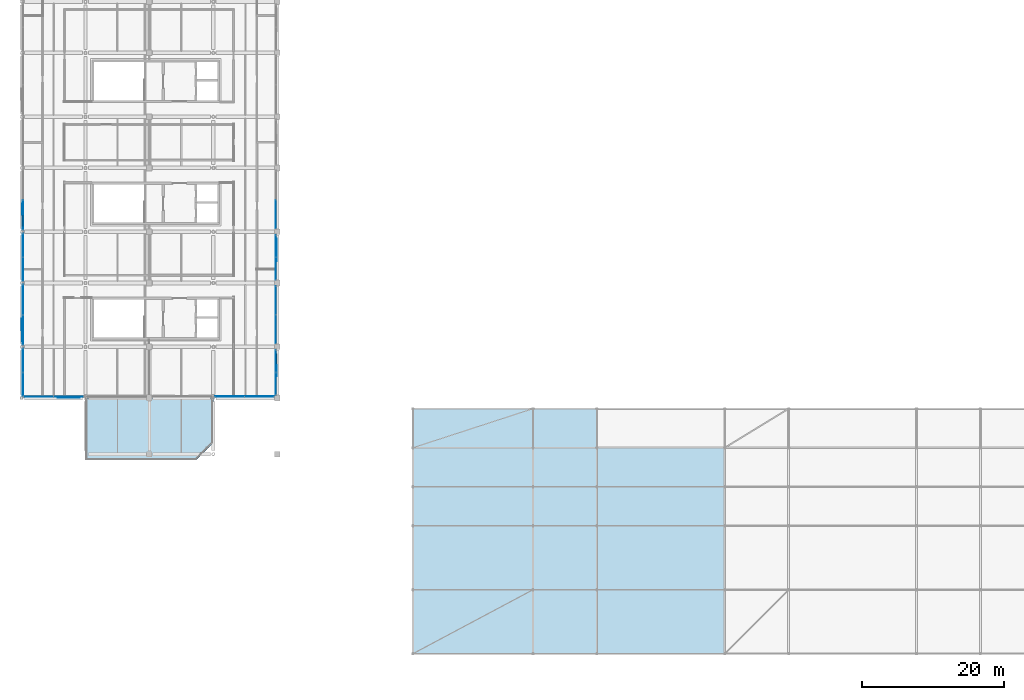
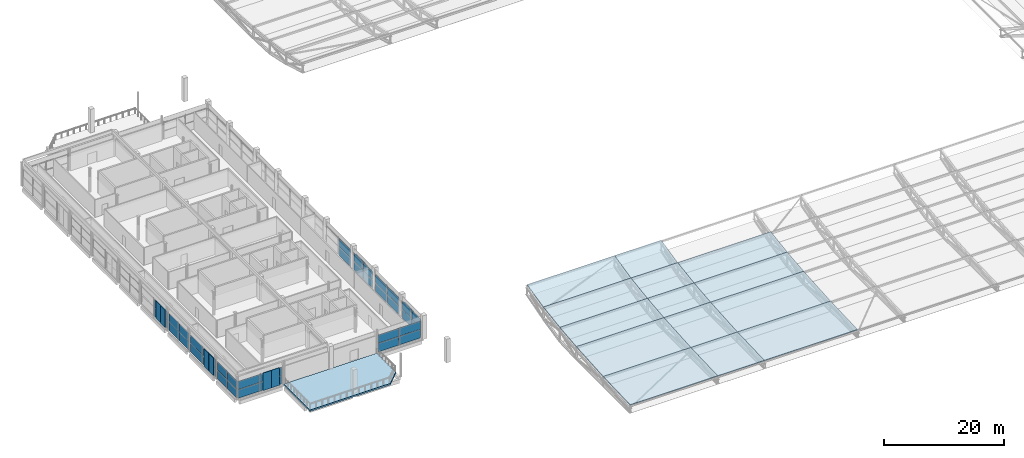
# One storey, part 86 of 114: 46 plates, 15 slabs, 10 elements without a shape of their own.
"""IFC4 building model written with IfcOpenShell, lengths in metres."""

from ifc_helpers import new_model, si_unit, direction, frame, origin, origin_2d, place, context, subcontext, project, spatial, polyline, rectangle, outline, extrude, material, layer, layer_set, type_object, element, aggregate, save


model = new_model("IFC4")

# Units and contexts
model_context = context("Model", 3, precision=1e-05, world=origin(), true_north=direction((0.0, 1.0)))
body_context = subcontext(model_context, "Body", "Model", "MODEL_VIEW")
ifc_project = project(units=[si_unit("LENGTHUNIT", "METRE"), si_unit("AREAUNIT", "SQUARE_METRE"), si_unit("VOLUMEUNIT", "CUBIC_METRE"), si_unit("PLANEANGLEUNIT", "RADIAN"), si_unit("MASSUNIT", "GRAM", prefix="KILO"), si_unit("THERMODYNAMICTEMPERATUREUNIT", "KELVIN"), si_unit("POWERUNIT", "WATT")], contexts=[model_context])

# Site, building, storey
site_placement = place(None, origin())
site = spatial("IfcSite", under=ifc_project, at=site_placement, CompositionType="ELEMENT")
building_placement = place(site_placement, origin())
building = spatial("IfcBuilding", under=site, at=building_placement, Name="Sindhuravela Promenade Stadium", CompositionType="ELEMENT")
storey_placement = place(building_placement, frame((0.0, 0.0, 24.0)))
storey = spatial("IfcBuildingStorey", under=building, at=storey_placement, Name="L05", CompositionType="ELEMENT", Elevation=24.0)

# Plates
ifc_material_1 = material(Name="Perforated terracotta celosia brick (15 MPa)", Category="masonry")
ifc_layer_1 = layer(ifc_material_1, 0.090087890625)
ifc_layer_set_1 = layer_set([ifc_layer_1], Name="Perforated terracotta celosia brick (15 MPa)")
plate_type_1 = type_object("IfcPlateType", Name="CL-SCR-01", PredefinedType="USERDEFINED", material=ifc_layer_set_1)
for number, where, z_axis, x_axis, name in (
    (1, (0.1201171875, 71.55810546875, 0.0), (0.0, 0.0, 1.0), (0.0, 1.0, 0.0), "Perforated brick celosia screen WEST L05-68"),
    (2, (35.8798828125, 48.844970703125, 0.0), (0.0, 0.0, 1.0), (0.0, -1.0, 0.0), "Perforated brick celosia screen WEST L05-84"),
):
    element("IfcPlate", number, at=place(storey_placement, frame(where, z_axis=z_axis, x_axis=x_axis)), inside=storey, type_object=plate_type_1, Name=name, ObjectType="SCREEN PANEL", PredefinedType="USERDEFINED", context=body_context, shape_type="SweptSolid", body=[
        extrude(rectangle(XDim=1.56005859375, YDim=0.090087890625, at=origin_2d()), origin(), (0.0, 0.0, 1.0), 3.580078125),
    ])
ifc_layer_2 = layer(ifc_material_1, 0.114990234375)
ifc_layer_set_2 = layer_set([ifc_layer_2], Name="Perforated terracotta celosia brick (15 MPa)")
plate_type_2 = type_object("IfcPlateType", Name="CL-SCR-02", PredefinedType="USERDEFINED", material=ifc_layer_set_2)
for number, where, z_axis, x_axis, name in (
    (3, (0.1201171875, 53.75830078125, 0.0), (0.0, 0.0, 1.0), (0.0, 1.0, 0.0), "Perforated brick celosia screen WEST L05-65"),
    (4, (35.8798828125, 66.64501953125, 0.0), (0.0, 0.0, 1.0), (0.0, -1.0, 0.0), "Perforated brick celosia screen WEST L05-81"),
    (5, (7.44189453125, 45.1201171875, 0.0), (0.0, 0.0, 1.0), (-1.0, 0.0, 0.0), "Perforated brick celosia screen WEST L05-85"),
):
    element("IfcPlate", number, at=place(storey_placement, frame(where, z_axis=z_axis, x_axis=x_axis)), inside=storey, type_object=plate_type_2, Name=name, ObjectType="SCREEN PANEL", PredefinedType="USERDEFINED", context=body_context, shape_type="SweptSolid", body=[
        extrude(rectangle(XDim=1.56005859375, YDim=0.114990234375, at=origin_2d()), origin(), (0.0, 0.0, 1.0), 3.580078125),
    ])
ifc_layer_3 = layer(ifc_material_1, 0.139892578125)
ifc_layer_set_3 = layer_set([ifc_layer_3], Name="Perforated terracotta celosia brick (15 MPa)")
plate_type_3 = type_object("IfcPlateType", Name="CL-SCR-03", PredefinedType="USERDEFINED", material=ifc_layer_set_3)
for number, where, z_axis, x_axis, name in (
    (6, (0.1201171875, 55.358154296875, 0.0), (0.0, 0.0, 1.0), (0.0, 1.0, 0.0), "Perforated brick celosia screen WEST L05-66"),
    (7, (35.8798828125, 65.044921875, 0.0), (0.0, 0.0, 1.0), (0.0, -1.0, 0.0), "Perforated brick celosia screen WEST L05-82"),
    (8, (5.841796875, 45.1201171875, 0.0), (0.0, 0.0, 1.0), (-1.0, 0.0, 0.0), "Perforated brick celosia screen WEST L05-86"),
):
    element("IfcPlate", number, at=place(storey_placement, frame(where, z_axis=z_axis, x_axis=x_axis)), inside=storey, type_object=plate_type_3, Name=name, ObjectType="SCREEN PANEL", PredefinedType="USERDEFINED", context=body_context, shape_type="SweptSolid", body=[
        extrude(rectangle(XDim=1.56005859375, YDim=0.139892578125, at=origin_2d()), origin(), (0.0, 0.0, 1.0), 3.580078125),
    ])
ifc_layer_4 = layer(ifc_material_1, 0.1650390625)
ifc_layer_set_4 = layer_set([ifc_layer_4], Name="Perforated terracotta celosia brick (15 MPa)")
plate_type_4 = type_object("IfcPlateType", Name="CL-SCR-04", PredefinedType="USERDEFINED", material=ifc_layer_set_4)
for number, where, z_axis, x_axis, name in (
    (9, (0.1201171875, 69.958251953125, 0.0), (0.0, 0.0, 1.0), (0.0, 1.0, 0.0), "Perforated brick celosia screen WEST L05-67"),
    (10, (35.8798828125, 50.445068359375, 0.0), (0.0, 0.0, 1.0), (0.0, -1.0, 0.0), "Perforated brick celosia screen WEST L05-83"),
):
    element("IfcPlate", number, at=place(storey_placement, frame(where, z_axis=z_axis, x_axis=x_axis)), inside=storey, type_object=plate_type_4, Name=name, ObjectType="SCREEN PANEL", PredefinedType="USERDEFINED", context=body_context, shape_type="SweptSolid", body=[
        extrude(rectangle(XDim=1.56005859375, YDim=0.1650390625, at=origin_2d()), origin(), (0.0, 0.0, 1.0), 3.580078125),
    ])

# Curtain wall, plates
ifc_material_2 = material(Name="Anodised architectural aluminium 6063-T6", Category="aluminium")
curtain_wall_type_1 = type_object("IfcCurtainWallType", Name="CW-MOD-3", PredefinedType="NOTDEFINED", material=ifc_material_2)
curtain_wall_1_placement = place(storey_placement, origin())
curtain_wall_1 = element("IfcCurtainWall", 11, at=curtain_wall_1_placement, inside=storey, type_object=curtain_wall_type_1, Name="Bronze curtain wall CW-WEST-L05-066", PredefinedType="NOTDEFINED")
ifc_material_3 = material(Name="Tempered laminated low-E glass", Category="glass")
ifc_layer_5 = layer(ifc_material_3, 0.028076171875)
ifc_layer_set_5 = layer_set([ifc_layer_5], Name="Tempered laminated low-E glass")
plate_type_5 = type_object("IfcPlateType", Name="CW-PNL-01", PredefinedType="CURTAIN_PANEL", material=ifc_layer_set_5)
plate_1_placement = place(storey_placement, frame((0.199951171875, 54.57666015625, 0.01513671875), z_axis=(0.0, 0.0, 1.0), x_axis=(0.0, 1.0, 0.0)))
plate_1 = element("IfcPlate", 12, at=plate_1_placement, type_object=plate_type_5, Name="Glazed curtain panel CW-WEST-L05-066-P1.1", PredefinedType="CURTAIN_PANEL", context=body_context, shape_type="SweptSolid", body=[
    extrude(rectangle(XDim=4.18701171875, YDim=0.028076171875, at=origin_2d()), origin(), (0.0, 0.0, 1.0), 1.760009765625),
])
plate_2_placement = place(storey_placement, frame((0.199951171875, 54.57666015625, 1.80517578125), z_axis=(0.0, 0.0, 1.0), x_axis=(0.0, 1.0, 0.0)))
plate_2 = element("IfcPlate", 13, at=plate_2_placement, type_object=plate_type_5, Name="Glazed curtain panel CW-WEST-L05-066-P1.2", PredefinedType="CURTAIN_PANEL", context=body_context, shape_type="SweptSolid", body=[
    extrude(rectangle(XDim=4.18701171875, YDim=0.028076171875, at=origin_2d()), origin(), (0.0, 0.0, 1.0), 1.679931640625),
])
plate_3_placement = place(storey_placement, frame((0.199951171875, 58.823486328125, 0.01513671875), z_axis=(0.0, 0.0, 1.0), x_axis=(0.0, 1.0, 0.0)))
plate_3 = element("IfcPlate", 14, at=plate_3_placement, type_object=plate_type_5, Name="Glazed curtain panel CW-WEST-L05-066-P2.1", PredefinedType="CURTAIN_PANEL", context=body_context, shape_type="SweptSolid", body=[
    extrude(rectangle(XDim=4.18701171875, YDim=0.028076171875, at=origin_2d()), origin(), (0.0, 0.0, 1.0), 1.760009765625),
])
plate_4_placement = place(storey_placement, frame((0.199951171875, 58.823486328125, 1.80517578125), z_axis=(0.0, 0.0, 1.0), x_axis=(0.0, 1.0, 0.0)))
plate_4 = element("IfcPlate", 15, at=plate_4_placement, type_object=plate_type_5, Name="Glazed curtain panel CW-WEST-L05-066-P2.2", PredefinedType="CURTAIN_PANEL", context=body_context, shape_type="SweptSolid", body=[
    extrude(rectangle(XDim=4.18701171875, YDim=0.028076171875, at=origin_2d()), origin(), (0.0, 0.0, 1.0), 1.679931640625),
])
aggregate(curtain_wall_1, [plate_1, plate_2, plate_3, plate_4])

curtain_wall_type_2 = type_object("IfcCurtainWallType", Name="CW-MOD-5", PredefinedType="NOTDEFINED", material=ifc_material_2)
curtain_wall_2_placement = place(storey_placement, origin())
curtain_wall_2 = element("IfcCurtainWall", 16, at=curtain_wall_2_placement, inside=storey, type_object=curtain_wall_type_2, Name="Bronze curtain wall CW-WEST-L05-068", PredefinedType="NOTDEFINED")
plate_5_placement = place(storey_placement, frame((0.199951171875, 70.776611328125, 0.01513671875), z_axis=(0.0, 0.0, 1.0), x_axis=(0.0, 1.0, 0.0)))
plate_5 = element("IfcPlate", 17, at=plate_5_placement, type_object=plate_type_5, Name="Glazed curtain panel CW-WEST-L05-068-P1.1", PredefinedType="CURTAIN_PANEL", context=body_context, shape_type="SweptSolid", body=[
    extrude(rectangle(XDim=4.18701171875, YDim=0.028076171875, at=origin_2d()), origin(), (0.0, 0.0, 1.0), 1.760009765625),
])
plate_6_placement = place(storey_placement, frame((0.199951171875, 70.776611328125, 1.80517578125), z_axis=(0.0, 0.0, 1.0), x_axis=(0.0, 1.0, 0.0)))
plate_6 = element("IfcPlate", 18, at=plate_6_placement, type_object=plate_type_5, Name="Glazed curtain panel CW-WEST-L05-068-P1.2", PredefinedType="CURTAIN_PANEL", context=body_context, shape_type="SweptSolid", body=[
    extrude(rectangle(XDim=4.18701171875, YDim=0.028076171875, at=origin_2d()), origin(), (0.0, 0.0, 1.0), 1.679931640625),
])
aggregate(curtain_wall_2, [plate_5, plate_6])

curtain_wall_3_placement = place(storey_placement, origin())
curtain_wall_3 = element("IfcCurtainWall", 19, at=curtain_wall_3_placement, inside=storey, type_object=curtain_wall_type_1, Name="Bronze curtain wall CW-WEST-L05-082", PredefinedType="NOTDEFINED")
plate_7_placement = place(storey_placement, frame((35.800048828125, 66.375, 0.01513671875), z_axis=(0.0, 0.0, 1.0), x_axis=(0.0, -1.0, 0.0)))
plate_7 = element("IfcPlate", 20, at=plate_7_placement, type_object=plate_type_5, Name="Glazed curtain panel CW-WEST-L05-082-P1.1", PredefinedType="CURTAIN_PANEL", context=body_context, shape_type="SweptSolid", body=[
    extrude(rectangle(XDim=3.090087890625, YDim=0.028076171875, at=origin_2d()), origin(), (0.0, 0.0, 1.0), 1.760009765625),
])
plate_8_placement = place(storey_placement, frame((35.800048828125, 66.375, 1.80517578125), z_axis=(0.0, 0.0, 1.0), x_axis=(0.0, -1.0, 0.0)))
plate_8 = element("IfcPlate", 21, at=plate_8_placement, type_object=plate_type_5, Name="Glazed curtain panel CW-WEST-L05-082-P1.2", PredefinedType="CURTAIN_PANEL", context=body_context, shape_type="SweptSolid", body=[
    extrude(rectangle(XDim=3.090087890625, YDim=0.028076171875, at=origin_2d()), origin(), (0.0, 0.0, 1.0), 1.679931640625),
])
plate_9_placement = place(storey_placement, frame((35.800048828125, 63.22509765625, 0.01513671875), z_axis=(0.0, 0.0, 1.0), x_axis=(0.0, -1.0, 0.0)))
plate_9 = element("IfcPlate", 22, at=plate_9_placement, type_object=plate_type_5, Name="Glazed curtain panel CW-WEST-L05-082-P2.1", PredefinedType="CURTAIN_PANEL", context=body_context, shape_type="SweptSolid", body=[
    extrude(rectangle(XDim=3.090087890625, YDim=0.028076171875, at=origin_2d()), origin(), (0.0, 0.0, 1.0), 1.760009765625),
])
plate_10_placement = place(storey_placement, frame((35.800048828125, 63.22509765625, 1.80517578125), z_axis=(0.0, 0.0, 1.0), x_axis=(0.0, -1.0, 0.0)))
plate_10 = element("IfcPlate", 23, at=plate_10_placement, type_object=plate_type_5, Name="Glazed curtain panel CW-WEST-L05-082-P2.2", PredefinedType="CURTAIN_PANEL", context=body_context, shape_type="SweptSolid", body=[
    extrude(rectangle(XDim=3.090087890625, YDim=0.028076171875, at=origin_2d()), origin(), (0.0, 0.0, 1.0), 1.679931640625),
])
aggregate(curtain_wall_3, [plate_7, plate_8, plate_9, plate_10])

curtain_wall_4_placement = place(storey_placement, origin())
curtain_wall_4 = element("IfcCurtainWall", 24, at=curtain_wall_4_placement, inside=storey, type_object=curtain_wall_type_2, Name="Bronze curtain wall CW-WEST-L05-084", PredefinedType="NOTDEFINED")
plate_11_placement = place(storey_placement, frame((35.800048828125, 50.175048828125, 0.01513671875), z_axis=(0.0, 0.0, 1.0), x_axis=(0.0, -1.0, 0.0)))
plate_11 = element("IfcPlate", 25, at=plate_11_placement, type_object=plate_type_5, Name="Glazed curtain panel CW-WEST-L05-084-P1.1", PredefinedType="CURTAIN_PANEL", context=body_context, shape_type="SweptSolid", body=[
    extrude(rectangle(XDim=3.090087890625, YDim=0.028076171875, at=origin_2d()), origin(), (0.0, 0.0, 1.0), 1.760009765625),
])
plate_12_placement = place(storey_placement, frame((35.800048828125, 50.175048828125, 1.80517578125), z_axis=(0.0, 0.0, 1.0), x_axis=(0.0, -1.0, 0.0)))
plate_12 = element("IfcPlate", 26, at=plate_12_placement, type_object=plate_type_5, Name="Glazed curtain panel CW-WEST-L05-084-P1.2", PredefinedType="CURTAIN_PANEL", context=body_context, shape_type="SweptSolid", body=[
    extrude(rectangle(XDim=3.090087890625, YDim=0.028076171875, at=origin_2d()), origin(), (0.0, 0.0, 1.0), 1.679931640625),
])
plate_13_placement = place(storey_placement, frame((35.800048828125, 47.02490234375, 0.01513671875), z_axis=(0.0, 0.0, 1.0), x_axis=(0.0, -1.0, 0.0)))
plate_13 = element("IfcPlate", 27, at=plate_13_placement, type_object=plate_type_5, Name="Glazed curtain panel CW-WEST-L05-084-P2.1", PredefinedType="CURTAIN_PANEL", context=body_context, shape_type="SweptSolid", body=[
    extrude(rectangle(XDim=3.090087890625, YDim=0.028076171875, at=origin_2d()), origin(), (0.0, 0.0, 1.0), 1.760009765625),
])
plate_14_placement = place(storey_placement, frame((35.800048828125, 47.02490234375, 1.80517578125), z_axis=(0.0, 0.0, 1.0), x_axis=(0.0, -1.0, 0.0)))
plate_14 = element("IfcPlate", 28, at=plate_14_placement, type_object=plate_type_5, Name="Glazed curtain panel CW-WEST-L05-084-P2.2", PredefinedType="CURTAIN_PANEL", context=body_context, shape_type="SweptSolid", body=[
    extrude(rectangle(XDim=3.090087890625, YDim=0.028076171875, at=origin_2d()), origin(), (0.0, 0.0, 1.0), 1.679931640625),
])
aggregate(curtain_wall_4, [plate_11, plate_12, plate_13, plate_14])

curtain_wall_type_3 = type_object("IfcCurtainWallType", Name="CW-MOD-7", PredefinedType="NOTDEFINED", material=ifc_material_2)
curtain_wall_5_placement = place(storey_placement, origin())
curtain_wall_5 = element("IfcCurtainWall", 29, at=curtain_wall_5_placement, inside=storey, type_object=curtain_wall_type_3, Name="Bronze curtain wall CW-WEST-L05-086", PredefinedType="NOTDEFINED")
plate_15_placement = place(storey_placement, frame((6.623291015625, 45.199951171875, 0.01513671875), z_axis=(0.0, 0.0, 1.0), x_axis=(-1.0, 0.0, 0.0)))
plate_15 = element("IfcPlate", 30, at=plate_15_placement, type_object=plate_type_5, Name="Glazed curtain panel CW-WEST-L05-086-P1.1", PredefinedType="CURTAIN_PANEL", context=body_context, shape_type="SweptSolid", body=[
    extrude(rectangle(XDim=4.18701171875, YDim=0.028076171875, at=origin_2d()), origin(), (0.0, 0.0, 1.0), 1.760009765625),
])
plate_16_placement = place(storey_placement, frame((6.623291015625, 45.199951171875, 1.80517578125), z_axis=(0.0, 0.0, 1.0), x_axis=(-1.0, 0.0, 0.0)))
plate_16 = element("IfcPlate", 31, at=plate_16_placement, type_object=plate_type_5, Name="Glazed curtain panel CW-WEST-L05-086-P1.2", PredefinedType="CURTAIN_PANEL", context=body_context, shape_type="SweptSolid", body=[
    extrude(rectangle(XDim=4.18701171875, YDim=0.028076171875, at=origin_2d()), origin(), (0.0, 0.0, 1.0), 1.679931640625),
])
plate_17_placement = place(storey_placement, frame((2.376708984375, 45.199951171875, 0.01513671875), z_axis=(0.0, 0.0, 1.0), x_axis=(-1.0, 0.0, 0.0)))
plate_17 = element("IfcPlate", 32, at=plate_17_placement, type_object=plate_type_5, Name="Glazed curtain panel CW-WEST-L05-086-P2.1", PredefinedType="CURTAIN_PANEL", context=body_context, shape_type="SweptSolid", body=[
    extrude(rectangle(XDim=4.18701171875, YDim=0.028076171875, at=origin_2d()), origin(), (0.0, 0.0, 1.0), 1.760009765625),
])
plate_18_placement = place(storey_placement, frame((2.376708984375, 45.199951171875, 1.80517578125), z_axis=(0.0, 0.0, 1.0), x_axis=(-1.0, 0.0, 0.0)))
plate_18 = element("IfcPlate", 33, at=plate_18_placement, type_object=plate_type_5, Name="Glazed curtain panel CW-WEST-L05-086-P2.2", PredefinedType="CURTAIN_PANEL", context=body_context, shape_type="SweptSolid", body=[
    extrude(rectangle(XDim=4.18701171875, YDim=0.028076171875, at=origin_2d()), origin(), (0.0, 0.0, 1.0), 1.679931640625),
])
aggregate(curtain_wall_5, [plate_15, plate_16, plate_17, plate_18])

curtain_wall_type_4 = type_object("IfcCurtainWallType", Name="CW-MOD-2", PredefinedType="NOTDEFINED", material=ifc_material_2)
curtain_wall_6_placement = place(storey_placement, origin())
curtain_wall_6 = element("IfcCurtainWall", 34, at=curtain_wall_6_placement, inside=storey, type_object=curtain_wall_type_4, Name="Bronze curtain wall CW-WEST-L05-065", PredefinedType="NOTDEFINED")
ifc_layer_6 = layer(ifc_material_3, 0.0400390625)
ifc_layer_set_6 = layer_set([ifc_layer_6], Name="Tempered laminated low-E glass")
plate_type_6 = type_object("IfcPlateType", Name="CW-PNL-02", PredefinedType="CURTAIN_PANEL", material=ifc_layer_set_6)
plate_19_placement = place(storey_placement, frame((0.199951171875, 46.926513671875, 0.01513671875), z_axis=(0.0, 0.0, 1.0), x_axis=(0.0, 1.0, 0.0)))
plate_19 = element("IfcPlate", 35, at=plate_19_placement, type_object=plate_type_6, Name="Glazed curtain panel CW-WEST-L05-065-P1.1", PredefinedType="CURTAIN_PANEL", context=body_context, shape_type="SweptSolid", body=[
    extrude(rectangle(XDim=3.287109375, YDim=0.0400390625, at=origin_2d()), origin(), (0.0, 0.0, 1.0), 1.760009765625),
])
plate_20_placement = place(storey_placement, frame((0.199951171875, 46.926513671875, 1.80517578125), z_axis=(0.0, 0.0, 1.0), x_axis=(0.0, 1.0, 0.0)))
plate_20 = element("IfcPlate", 36, at=plate_20_placement, type_object=plate_type_6, Name="Glazed curtain panel CW-WEST-L05-065-P1.2", PredefinedType="CURTAIN_PANEL", context=body_context, shape_type="SweptSolid", body=[
    extrude(rectangle(XDim=3.287109375, YDim=0.0400390625, at=origin_2d()), origin(), (0.0, 0.0, 1.0), 1.679931640625),
])
plate_21_placement = place(storey_placement, frame((0.199951171875, 50.2734375, 0.01513671875), z_axis=(0.0, 0.0, 1.0), x_axis=(0.0, 1.0, 0.0)))
plate_21 = element("IfcPlate", 37, at=plate_21_placement, type_object=plate_type_6, Name="Glazed curtain panel CW-WEST-L05-065-P2.1", PredefinedType="CURTAIN_PANEL", context=body_context, shape_type="SweptSolid", body=[
    extrude(rectangle(XDim=3.287109375, YDim=0.0400390625, at=origin_2d()), origin(), (0.0, 0.0, 1.0), 1.760009765625),
])
plate_22_placement = place(storey_placement, frame((0.199951171875, 50.2734375, 1.80517578125), z_axis=(0.0, 0.0, 1.0), x_axis=(0.0, 1.0, 0.0)))
plate_22 = element("IfcPlate", 38, at=plate_22_placement, type_object=plate_type_6, Name="Glazed curtain panel CW-WEST-L05-065-P2.2", PredefinedType="CURTAIN_PANEL", context=body_context, shape_type="SweptSolid", body=[
    extrude(rectangle(XDim=3.287109375, YDim=0.0400390625, at=origin_2d()), origin(), (0.0, 0.0, 1.0), 1.679931640625),
])
aggregate(curtain_wall_6, [plate_19, plate_20, plate_21, plate_22])

curtain_wall_type_5 = type_object("IfcCurtainWallType", Name="CW-MOD-4", PredefinedType="NOTDEFINED", material=ifc_material_2)
curtain_wall_7_placement = place(storey_placement, origin())
curtain_wall_7 = element("IfcCurtainWall", 39, at=curtain_wall_7_placement, inside=storey, type_object=curtain_wall_type_5, Name="Bronze curtain wall CW-WEST-L05-067", PredefinedType="NOTDEFINED")
plate_23_placement = place(storey_placement, frame((0.199951171875, 63.126708984375, 0.01513671875), z_axis=(0.0, 0.0, 1.0), x_axis=(0.0, 1.0, 0.0)))
plate_23 = element("IfcPlate", 40, at=plate_23_placement, type_object=plate_type_6, Name="Glazed curtain panel CW-WEST-L05-067-P1.1", PredefinedType="CURTAIN_PANEL", context=body_context, shape_type="SweptSolid", body=[
    extrude(rectangle(XDim=3.287109375, YDim=0.0400390625, at=origin_2d()), origin(), (0.0, 0.0, 1.0), 1.760009765625),
])
plate_24_placement = place(storey_placement, frame((0.199951171875, 63.126708984375, 1.80517578125), z_axis=(0.0, 0.0, 1.0), x_axis=(0.0, 1.0, 0.0)))
plate_24 = element("IfcPlate", 41, at=plate_24_placement, type_object=plate_type_6, Name="Glazed curtain panel CW-WEST-L05-067-P1.2", PredefinedType="CURTAIN_PANEL", context=body_context, shape_type="SweptSolid", body=[
    extrude(rectangle(XDim=3.287109375, YDim=0.0400390625, at=origin_2d()), origin(), (0.0, 0.0, 1.0), 1.679931640625),
])
plate_25_placement = place(storey_placement, frame((0.199951171875, 66.473388671875, 0.01513671875), z_axis=(0.0, 0.0, 1.0), x_axis=(0.0, 1.0, 0.0)))
plate_25 = element("IfcPlate", 42, at=plate_25_placement, type_object=plate_type_6, Name="Glazed curtain panel CW-WEST-L05-067-P2.1", PredefinedType="CURTAIN_PANEL", context=body_context, shape_type="SweptSolid", body=[
    extrude(rectangle(XDim=3.287109375, YDim=0.0400390625, at=origin_2d()), origin(), (0.0, 0.0, 1.0), 1.760009765625),
])
plate_26_placement = place(storey_placement, frame((0.199951171875, 66.473388671875, 1.80517578125), z_axis=(0.0, 0.0, 1.0), x_axis=(0.0, 1.0, 0.0)))
plate_26 = element("IfcPlate", 43, at=plate_26_placement, type_object=plate_type_6, Name="Glazed curtain panel CW-WEST-L05-067-P2.2", PredefinedType="CURTAIN_PANEL", context=body_context, shape_type="SweptSolid", body=[
    extrude(rectangle(XDim=3.287109375, YDim=0.0400390625, at=origin_2d()), origin(), (0.0, 0.0, 1.0), 1.679931640625),
])
aggregate(curtain_wall_7, [plate_23, plate_24, plate_25, plate_26])

curtain_wall_8_placement = place(storey_placement, origin())
curtain_wall_8 = element("IfcCurtainWall", 44, at=curtain_wall_8_placement, inside=storey, type_object=curtain_wall_type_4, Name="Bronze curtain wall CW-WEST-L05-081", PredefinedType="NOTDEFINED")
plate_27_placement = place(storey_placement, frame((35.800048828125, 70.875, 0.01513671875), z_axis=(0.0, 0.0, 1.0), x_axis=(0.0, -1.0, 0.0)))
plate_27 = element("IfcPlate", 45, at=plate_27_placement, type_object=plate_type_6, Name="Glazed curtain panel CW-WEST-L05-081-P2.1", PredefinedType="CURTAIN_PANEL", context=body_context, shape_type="SweptSolid", body=[
    extrude(rectangle(XDim=3.989990234375, YDim=0.0400390625, at=origin_2d()), origin(), (0.0, 0.0, 1.0), 1.760009765625),
])
plate_28_placement = place(storey_placement, frame((35.800048828125, 70.875, 1.80517578125), z_axis=(0.0, 0.0, 1.0), x_axis=(0.0, -1.0, 0.0)))
plate_28 = element("IfcPlate", 46, at=plate_28_placement, type_object=plate_type_6, Name="Glazed curtain panel CW-WEST-L05-081-P2.2", PredefinedType="CURTAIN_PANEL", context=body_context, shape_type="SweptSolid", body=[
    extrude(rectangle(XDim=3.989990234375, YDim=0.0400390625, at=origin_2d()), origin(), (0.0, 0.0, 1.0), 1.679931640625),
])
aggregate(curtain_wall_8, [plate_27, plate_28])

curtain_wall_9_placement = place(storey_placement, origin())
curtain_wall_9 = element("IfcCurtainWall", 47, at=curtain_wall_9_placement, inside=storey, type_object=curtain_wall_type_5, Name="Bronze curtain wall CW-WEST-L05-083", PredefinedType="NOTDEFINED")
plate_29_placement = place(storey_placement, frame((35.800048828125, 58.72509765625, 0.01513671875), z_axis=(0.0, 0.0, 1.0), x_axis=(0.0, -1.0, 0.0)))
plate_29 = element("IfcPlate", 48, at=plate_29_placement, type_object=plate_type_6, Name="Glazed curtain panel CW-WEST-L05-083-P1.1", PredefinedType="CURTAIN_PANEL", context=body_context, shape_type="SweptSolid", body=[
    extrude(rectangle(XDim=3.989990234375, YDim=0.0400390625, at=origin_2d()), origin(), (0.0, 0.0, 1.0), 1.760009765625),
])
plate_30_placement = place(storey_placement, frame((35.800048828125, 58.72509765625, 1.80517578125), z_axis=(0.0, 0.0, 1.0), x_axis=(0.0, -1.0, 0.0)))
plate_30 = element("IfcPlate", 49, at=plate_30_placement, type_object=plate_type_6, Name="Glazed curtain panel CW-WEST-L05-083-P1.2", PredefinedType="CURTAIN_PANEL", context=body_context, shape_type="SweptSolid", body=[
    extrude(rectangle(XDim=3.989990234375, YDim=0.0400390625, at=origin_2d()), origin(), (0.0, 0.0, 1.0), 1.679931640625),
])
plate_31_placement = place(storey_placement, frame((35.800048828125, 54.675048828125, 0.01513671875), z_axis=(0.0, 0.0, 1.0), x_axis=(0.0, -1.0, 0.0)))
plate_31 = element("IfcPlate", 50, at=plate_31_placement, type_object=plate_type_6, Name="Glazed curtain panel CW-WEST-L05-083-P2.1", PredefinedType="CURTAIN_PANEL", context=body_context, shape_type="SweptSolid", body=[
    extrude(rectangle(XDim=3.989990234375, YDim=0.0400390625, at=origin_2d()), origin(), (0.0, 0.0, 1.0), 1.760009765625),
])
plate_32_placement = place(storey_placement, frame((35.800048828125, 54.675048828125, 1.80517578125), z_axis=(0.0, 0.0, 1.0), x_axis=(0.0, -1.0, 0.0)))
plate_32 = element("IfcPlate", 51, at=plate_32_placement, type_object=plate_type_6, Name="Glazed curtain panel CW-WEST-L05-083-P2.2", PredefinedType="CURTAIN_PANEL", context=body_context, shape_type="SweptSolid", body=[
    extrude(rectangle(XDim=3.989990234375, YDim=0.0400390625, at=origin_2d()), origin(), (0.0, 0.0, 1.0), 1.679931640625),
])
aggregate(curtain_wall_9, [plate_29, plate_30, plate_31, plate_32])

curtain_wall_type_6 = type_object("IfcCurtainWallType", Name="CW-MOD-6", PredefinedType="NOTDEFINED", material=ifc_material_2)
curtain_wall_10_placement = place(storey_placement, origin())
curtain_wall_10 = element("IfcCurtainWall", 52, at=curtain_wall_10_placement, inside=storey, type_object=curtain_wall_type_6, Name="Bronze curtain wall CW-WEST-L05-085", PredefinedType="NOTDEFINED")
plate_33_placement = place(storey_placement, frame((33.475830078125, 45.199951171875, 0.01513671875), z_axis=(0.0, 0.0, 1.0), x_axis=(-1.0, 0.0, 0.0)))
plate_33 = element("IfcPlate", 53, at=plate_33_placement, type_object=plate_type_6, Name="Glazed curtain panel CW-WEST-L05-085-P1.1", PredefinedType="CURTAIN_PANEL", context=body_context, shape_type="SweptSolid", body=[
    extrude(rectangle(XDim=4.087890625, YDim=0.0400390625, at=origin_2d()), origin(), (0.0, 0.0, 1.0), 1.760009765625),
])
plate_34_placement = place(storey_placement, frame((33.475830078125, 45.199951171875, 1.80517578125), z_axis=(0.0, 0.0, 1.0), x_axis=(-1.0, 0.0, 0.0)))
plate_34 = element("IfcPlate", 54, at=plate_34_placement, type_object=plate_type_6, Name="Glazed curtain panel CW-WEST-L05-085-P1.2", PredefinedType="CURTAIN_PANEL", context=body_context, shape_type="SweptSolid", body=[
    extrude(rectangle(XDim=4.087890625, YDim=0.0400390625, at=origin_2d()), origin(), (0.0, 0.0, 1.0), 1.679931640625),
])
plate_35_placement = place(storey_placement, frame((29.327392578125, 45.199951171875, 0.01513671875), z_axis=(0.0, 0.0, 1.0), x_axis=(-1.0, 0.0, 0.0)))
plate_35 = element("IfcPlate", 55, at=plate_35_placement, type_object=plate_type_6, Name="Glazed curtain panel CW-WEST-L05-085-P2.1", PredefinedType="CURTAIN_PANEL", context=body_context, shape_type="SweptSolid", body=[
    extrude(rectangle(XDim=4.087890625, YDim=0.0400390625, at=origin_2d()), origin(), (0.0, 0.0, 1.0), 1.760009765625),
])
plate_36_placement = place(storey_placement, frame((29.327392578125, 45.199951171875, 1.80517578125), z_axis=(0.0, 0.0, 1.0), x_axis=(-1.0, 0.0, 0.0)))
plate_36 = element("IfcPlate", 56, at=plate_36_placement, type_object=plate_type_6, Name="Glazed curtain panel CW-WEST-L05-085-P2.2", PredefinedType="CURTAIN_PANEL", context=body_context, shape_type="SweptSolid", body=[
    extrude(rectangle(XDim=4.087890625, YDim=0.0400390625, at=origin_2d()), origin(), (0.0, 0.0, 1.0), 1.679931640625),
])
aggregate(curtain_wall_10, [plate_33, plate_34, plate_35, plate_36])

# Slabs
ifc_material_4 = material(Name="Concrete M40", Category="concrete")
ifc_layer_7 = layer(ifc_material_4, 0.1298828125)
ifc_layer_set_7 = layer_set([ifc_layer_7], Name="Concrete M40")
slab_type_1 = type_object("IfcSlabType", Name="SL-CAN-130", PredefinedType="ROOF", material=ifc_layer_set_7)
slab_1_placement = place(storey_placement, frame((55.10009765625, 9.0, 1.465087890625), z_axis=(0.0, -0.03629876236799083, 0.9993409827734235), x_axis=(1.0, 0.0, 0.0)))
element("IfcSlab", 57, at=slab_1_placement, inside=storey, type_object=slab_type_1, Name="Stand canopy roof slab S bay 1.1", PredefinedType="ROOF", context=body_context, shape_type="SweptSolid", body=[
    extrude(outline(polyline([(0.0, 0.0), (16.89990234375, 0.0), (16.89990234375, 9.005935066350151), (0.0, 9.005935066350151), (0.0, 0.0)])), origin(), (0.0, 0.0, -1.0), 0.1298828125),
])
slab_2_placement = place(storey_placement, frame((55.10009765625, 18.0, 1.7919921875), z_axis=(0.0, -0.07051629490820784, 0.9975106275887082), x_axis=(1.0, 0.0, 0.0)))
element("IfcSlab", 58, at=slab_2_placement, inside=storey, type_object=slab_type_1, Name="Stand canopy roof slab S bay 1.2", PredefinedType="ROOF", context=body_context, shape_type="SweptSolid", body=[
    extrude(outline(polyline([(0.0, 0.0), (16.89990234375, 0.0), (16.89990234375, 9.022460263662337), (0.0, 9.022460263662337), (0.0, 0.0)])), origin(), (0.0, 0.0, -1.0), 0.1298828125),
])
slab_3_placement = place(storey_placement, frame((55.10009765625, 27.0, 2.42822265625), z_axis=(0.0, -0.10654559094419869, 0.9943078180575428), x_axis=(1.0, 0.0, 0.0)))
element("IfcSlab", 59, at=slab_3_placement, inside=storey, type_object=slab_type_1, Name="Stand canopy roof slab S bay 1.3", PredefinedType="ROOF", context=body_context, shape_type="SweptSolid", body=[
    extrude(outline(polyline([(0.0, 0.0), (16.89990234375, 0.0), (16.89990234375, 5.531486226010649), (0.0, 5.531486226010649), (0.0, 0.0)])), origin(), (0.0, 0.0, -1.0), 0.1298828125),
])
slab_4_placement = place(storey_placement, frame((55.10009765625, 32.5, 3.017578125), z_axis=(0.0, -0.14687168523012892, 0.9891555530237203), x_axis=(1.0, 0.0, 0.0)))
element("IfcSlab", 60, at=slab_4_placement, inside=storey, type_object=slab_type_1, Name="Stand canopy roof slab S bay 1.4", PredefinedType="ROOF", context=body_context, shape_type="SweptSolid", body=[
    extrude(outline(polyline([(0.0, 0.0), (16.89990234375, 0.0), (16.89990234375, 5.560298360745398), (0.0, 5.560298360745398), (0.0, 0.0)])), origin(), (0.0, 0.0, -1.0), 0.1298828125),
])
slab_5_placement = place(storey_placement, frame((55.10009765625, 38.0, 3.834228515625), z_axis=(0.0, -0.21836583135951027, 0.9758669805330386), x_axis=(1.0, 0.0, 0.0)))
element("IfcSlab", 61, at=slab_5_placement, inside=storey, type_object=slab_type_1, Name="Stand canopy roof slab S bay 1.5", PredefinedType="ROOF", context=body_context, shape_type="SweptSolid", body=[
    extrude(outline(polyline([(0.0, 0.0), (16.89990234375, 0.0), (16.89990234375, 5.636014036457906), (0.0, 5.636014036457906), (0.0, 0.0)])), origin(), (0.0, 0.0, -1.0), 0.1298828125),
])
slab_6_placement = place(storey_placement, frame((72.0, 9.0, 1.465087890625), z_axis=(0.0, -0.03629876236799083, 0.9993409827734235), x_axis=(1.0, 0.0, 0.0)))
element("IfcSlab", 62, at=slab_6_placement, inside=storey, type_object=slab_type_1, Name="Stand canopy roof slab S bay 2.1", PredefinedType="ROOF", context=body_context, shape_type="SweptSolid", body=[
    extrude(outline(polyline([(0.0, 0.0), (9.0, 0.0), (9.0, 9.005935066350151), (0.0, 9.005935066350151), (0.0, 0.0)])), origin(), (0.0, 0.0, -1.0), 0.1298828125),
])
slab_7_placement = place(storey_placement, frame((72.0, 18.0, 1.7919921875), z_axis=(0.0, -0.07051629490820784, 0.9975106275887082), x_axis=(1.0, 0.0, 0.0)))
element("IfcSlab", 63, at=slab_7_placement, inside=storey, type_object=slab_type_1, Name="Stand canopy roof slab S bay 2.2", PredefinedType="ROOF", context=body_context, shape_type="SweptSolid", body=[
    extrude(outline(polyline([(0.0, 0.0), (9.0, 0.0), (9.0, 9.022460263662337), (0.0, 9.022460263662337), (0.0, 0.0)])), origin(), (0.0, 0.0, -1.0), 0.1298828125),
])
slab_8_placement = place(storey_placement, frame((72.0, 27.0, 2.42822265625), z_axis=(0.0, -0.1065455909441987, 0.9943078180575428), x_axis=(1.0, 0.0, 0.0)))
element("IfcSlab", 64, at=slab_8_placement, inside=storey, type_object=slab_type_1, Name="Stand canopy roof slab S bay 2.3", PredefinedType="ROOF", context=body_context, shape_type="SweptSolid", body=[
    extrude(outline(polyline([(0.0, 0.0), (9.0, 0.0), (9.0, 5.531486226010649), (0.0, 5.531486226010649), (0.0, 0.0)])), origin(), (0.0, 0.0, -1.0), 0.1298828125),
])
slab_9_placement = place(storey_placement, frame((72.0, 32.5, 3.017578125), z_axis=(0.0, -0.14687168523012892, 0.9891555530237203), x_axis=(1.0, 0.0, 0.0)))
element("IfcSlab", 65, at=slab_9_placement, inside=storey, type_object=slab_type_1, Name="Stand canopy roof slab S bay 2.4", PredefinedType="ROOF", context=body_context, shape_type="SweptSolid", body=[
    extrude(outline(polyline([(0.0, 0.0), (9.0, 0.0), (9.0, 5.560298360745398), (0.0, 5.560298360745398), (0.0, 0.0)])), origin(), (0.0, 0.0, -1.0), 0.1298828125),
])
slab_10_placement = place(storey_placement, frame((72.0, 38.0, 3.834228515625), z_axis=(0.0, -0.21836583135951027, 0.9758669805330386), x_axis=(1.0, 0.0, 0.0)))
element("IfcSlab", 66, at=slab_10_placement, inside=storey, type_object=slab_type_1, Name="Stand canopy roof slab S bay 2.5", PredefinedType="ROOF", context=body_context, shape_type="SweptSolid", body=[
    extrude(outline(polyline([(0.0, 0.0), (9.0, 0.0), (9.0, 5.636014036457906), (0.0, 5.636014036457906), (0.0, 0.0)])), origin(), (0.0, 0.0, -1.0), 0.1298828125),
])
slab_11_placement = place(storey_placement, frame((81.0, 9.0, 1.465087890625), z_axis=(0.0, -0.03629876236799083, 0.9993409827734235), x_axis=(1.0, 0.0, 0.0)))
element("IfcSlab", 67, at=slab_11_placement, inside=storey, type_object=slab_type_1, Name="Stand canopy roof slab S bay 3.1", PredefinedType="ROOF", context=body_context, shape_type="SweptSolid", body=[
    extrude(outline(polyline([(0.0, 0.0), (18.0, 0.0), (18.0, 9.005935066350151), (0.0, 9.005935066350151), (0.0, 0.0)])), origin(), (0.0, 0.0, -1.0), 0.1298828125),
])
slab_12_placement = place(storey_placement, frame((81.0, 18.0, 1.7919921875), z_axis=(0.0, -0.07051629490820784, 0.9975106275887082), x_axis=(1.0, 0.0, 0.0)))
element("IfcSlab", 68, at=slab_12_placement, inside=storey, type_object=slab_type_1, Name="Stand canopy roof slab S bay 3.2", PredefinedType="ROOF", context=body_context, shape_type="SweptSolid", body=[
    extrude(outline(polyline([(0.0, 0.0), (18.0, 0.0), (18.0, 9.022460263662337), (0.0, 9.022460263662337), (0.0, 0.0)])), origin(), (0.0, 0.0, -1.0), 0.1298828125),
])
slab_13_placement = place(storey_placement, frame((81.0, 27.0, 2.42822265625), z_axis=(0.0, -0.1065455909441987, 0.9943078180575428), x_axis=(1.0, 0.0, 0.0)))
element("IfcSlab", 69, at=slab_13_placement, inside=storey, type_object=slab_type_1, Name="Stand canopy roof slab S bay 3.3", PredefinedType="ROOF", context=body_context, shape_type="SweptSolid", body=[
    extrude(outline(polyline([(0.0, 0.0), (18.0, 0.0), (18.0, 5.531486226010649), (0.0, 5.531486226010649), (0.0, 0.0)])), origin(), (0.0, 0.0, -1.0), 0.1298828125),
])
slab_14_placement = place(storey_placement, frame((81.0, 32.5, 3.017578125), z_axis=(0.0, -0.14687168523012892, 0.9891555530237203), x_axis=(1.0, 0.0, 0.0)))
element("IfcSlab", 70, at=slab_14_placement, inside=storey, type_object=slab_type_1, Name="Stand canopy roof slab S bay 3.4", PredefinedType="ROOF", context=body_context, shape_type="SweptSolid", body=[
    extrude(outline(polyline([(0.0, 0.0), (18.0, 0.0), (18.0, 5.560298360745398), (0.0, 5.560298360745398), (0.0, 0.0)])), origin(), (0.0, 0.0, -1.0), 0.1298828125),
])
ifc_layer_8 = layer(ifc_material_4, 0.31005859375)
ifc_layer_set_8 = layer_set([ifc_layer_8], Name="Concrete M40")
slab_type_2 = type_object("IfcSlabType", Name="SL-TER-310", PredefinedType="FLOOR", material=ifc_layer_set_8)
slab_15_placement = place(storey_placement, frame((0.0, 0.0, -0.31005859375)))
element("IfcSlab", 71, at=slab_15_placement, inside=storey, type_object=slab_type_2, Name="West Stand South Observation Terrace", PredefinedType="FLOOR", context=body_context, shape_type="SweptSolid", body=[
    extrude(outline(polyline([(9.0, 36.25), (24.550048828125, 36.25), (27.0, 38.699951171875), (27.0, 45.0), (9.0, 45.0), (9.0, 36.25)])), origin(), (0.0, 0.0, 1.0), 0.31005859375),
])

save(model, "model.ifc")
